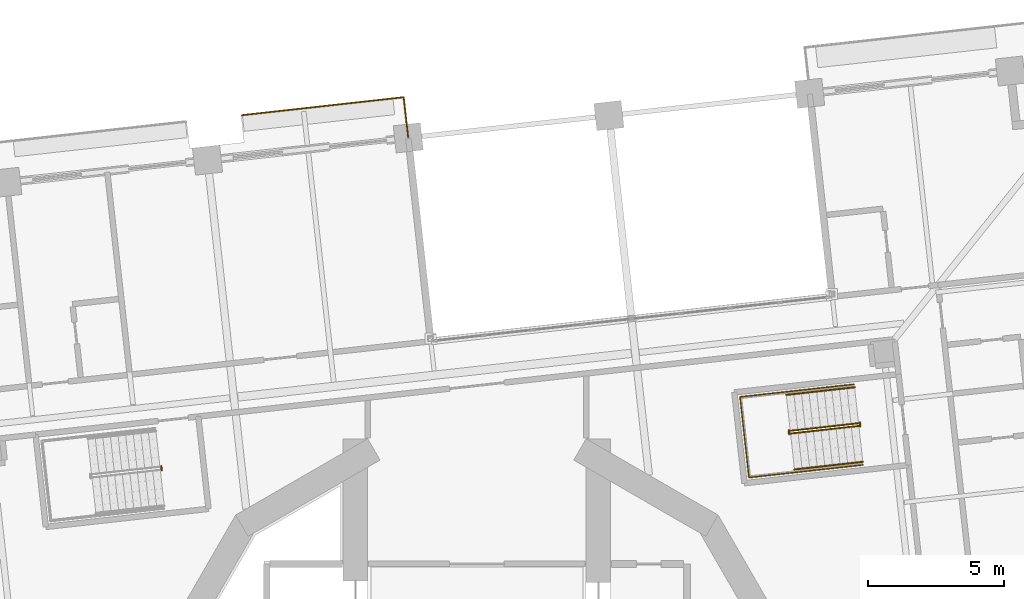
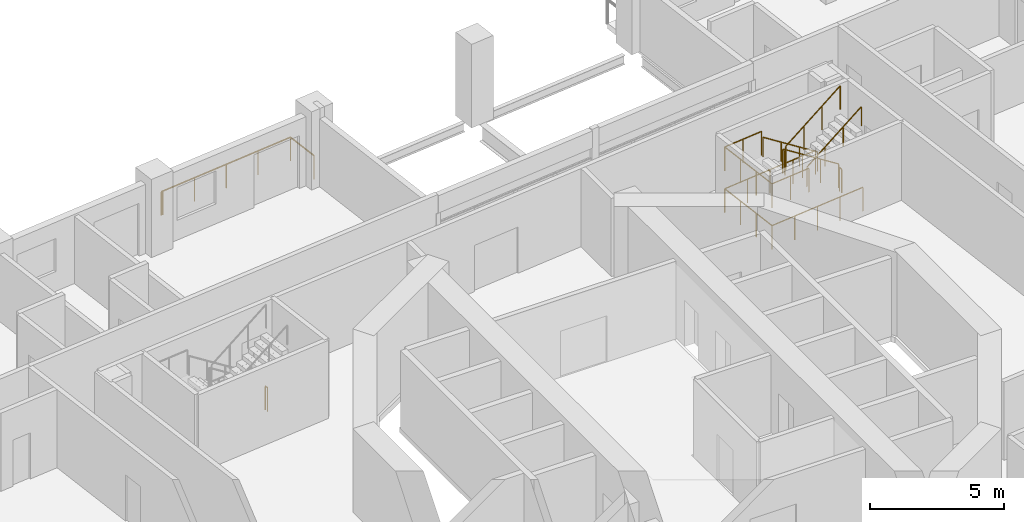
# One storey, part 18 of 20: 9 railings.
"""IFC4 building model written with IfcOpenShell, lengths in metres."""

import ifcopenshell
import ifcopenshell.guid

model = None  # the IFC model being written
_history = None  # IfcOwnerHistory: only IFC2X3 demands one
_inside = {}  # id of a spatial element -> (the spatial element, [elements in it])
_under = {}  # id of a project, library or spatial element -> (it, [spatial elements below it])
_declared = {}  # id of a project -> (the project, [libraries it declares])
_typed = {}  # id of a type object -> (the type object, [elements of that type])
_made_of = {}  # id of a material, layer set ... -> (it, [elements and type objects made of it])


def new_model(schema):
    """Start an empty IFC model of exactly this schema.

    Asked for "IFC4X3", IfcOpenShell would pick the latest addendum, in which some entities
    have other attributes; the version numbers below select the first issue.
    IFC2X3 requires an IfcOwnerHistory on every rooted entity: one is made here for all.
    """
    global model, _history
    if schema == "IFC4X3":
        model = ifcopenshell.file(schema_version=(4, 3, 0, 0))
    else:
        model = ifcopenshell.file(schema=schema)
    _inside.clear()
    _under.clear()
    _declared.clear()
    _typed.clear()
    _made_of.clear()
    _history = None
    if model.schema == "IFC2X3":
        org = make("IfcOrganization", Name="unknown")
        user = make(
            "IfcPersonAndOrganization",
            ThePerson=make("IfcPerson", FamilyName="unknown"),
            TheOrganization=org,
        )
        app = make(
            "IfcApplication",
            ApplicationDeveloper=org,
            Version="unknown",
            ApplicationFullName="unknown",
            ApplicationIdentifier="unknown",
        )
        _history = make(
            "IfcOwnerHistory",
            OwningUser=user,
            OwningApplication=app,
            ChangeAction="ADDED",
            CreationDate=0,
        )
    return model


def make(cls, **values):
    """One entity of the class cls with the attributes given. An attribute that is None is left unset."""
    return model.create_entity(
        cls, **{name: value for name, value in values.items() if value is not None}
    )


def rooted(cls, **values):
    """An entity with a GlobalId (a new one), such as an element, a storey or a relation."""
    return make(cls, GlobalId=ifcopenshell.guid.new(), OwnerHistory=_history, **values)


def si_unit(unit_type, name, prefix=None):
    """IfcSIUnit, for example si_unit("LENGTHUNIT", "METRE", prefix="MILLI")."""
    return make("IfcSIUnit", UnitType=unit_type, Prefix=prefix, Name=name)


def assignment(units):
    """IfcUnitAssignment: the units of a project."""
    return None if units is None else make("IfcUnitAssignment", Units=units)


def point(xyz):
    """IfcCartesianPoint."""
    return None if xyz is None else make("IfcCartesianPoint", Coordinates=xyz)


def direction(xyz):
    """IfcDirection."""
    return None if xyz is None else make("IfcDirection", DirectionRatios=xyz)


def frame(location, z_axis=None, x_axis=None):
    """IfcAxis2Placement3D, a coordinate frame: its origin and axes. An axis left out is left unset."""
    return make(
        "IfcAxis2Placement3D",
        Location=point(location),
        Axis=direction(z_axis),
        RefDirection=direction(x_axis),
    )


def frame_2d(location, x_axis=None):
    """IfcAxis2Placement2D, a coordinate frame in the plane: its origin and x axis."""
    return make(
        "IfcAxis2Placement2D", Location=point(location), RefDirection=direction(x_axis)
    )


def origin():
    """The frame at (0, 0, 0) with its axes left unset."""
    return frame((0.0, 0.0, 0.0))


def origin_2d():
    """The frame at (0, 0) in the plane with its x axis left unset."""
    return frame_2d((0.0, 0.0))


def place(relative_to, where):
    """IfcLocalPlacement: puts the frame where relative to a parent placement (None: the world)."""
    return make(
        "IfcLocalPlacement", PlacementRelTo=relative_to, RelativePlacement=where
    )


def context(
    kind, dimensions, precision=None, world=None, true_north=None, identifier=None
):
    """IfcGeometricRepresentationContext, for example the 3D "Model" context."""
    return make(
        "IfcGeometricRepresentationContext",
        ContextIdentifier=identifier,
        ContextType=kind,
        CoordinateSpaceDimension=dimensions,
        Precision=precision,
        WorldCoordinateSystem=world,
        TrueNorth=true_north,
    )


def subcontext(parent, identifier, kind, view, scale=None):
    """IfcGeometricRepresentationSubContext, for example "Body" below "Model"."""
    return make(
        "IfcGeometricRepresentationSubContext",
        ContextIdentifier=identifier,
        ContextType=kind,
        ParentContext=parent,
        TargetScale=scale,
        TargetView=view,
    )


def project(units=None, contexts=None):
    """IfcProject with its units and contexts."""
    return rooted(
        "IfcProject",
        Name="project",
        RepresentationContexts=contexts,
        UnitsInContext=assignment(units),
    )


def spatial(cls, under=None, at=None, **own):
    """A site, building, storey or space (cls), placed at a placement, below another one or the project."""
    s = rooted(cls, ObjectPlacement=at, **own)
    if under is not None:
        _under.setdefault(under.id(), (under, []))[1].append(s)
    return s


def profile(cls, at=None, kind="AREA", **sizes):
    """A parametric profile (cls). Its sizes go by their IFC names, for example OverallWidth=200.0."""
    return make(cls, ProfileType=kind, Position=at, **sizes)


def circle(**sizes):
    """IfcCircleProfileDef."""
    return profile("IfcCircleProfileDef", **sizes)


def extrude(swept, where, along, depth):
    """IfcExtrudedAreaSolid: the profile swept, set in the frame where, extruded along a direction by depth."""
    return make(
        "IfcExtrudedAreaSolid",
        SweptArea=swept,
        Position=where,
        ExtrudedDirection=direction(along),
        Depth=depth,
    )


def shape(context_of_items, identifier, shape_type, items):
    """IfcShapeRepresentation: the items that make up one representation, for example the "Body"."""
    return make(
        "IfcShapeRepresentation",
        ContextOfItems=context_of_items,
        RepresentationIdentifier=identifier,
        RepresentationType=shape_type,
        Items=items,
    )


def material(Name=None, Category=None):
    """IfcMaterial."""
    return make("IfcMaterial", Name=Name, Category=Category)


def made_of(thing, what):
    """Note that an element or type object is made of a material, layer set ...; save() writes the relation."""
    if what is not None:
        _made_of.setdefault(what.id(), (what, []))[1].append(thing)
    return thing


def type_object(cls, material=None, **own):
    """A type object (cls), such as IfcWallType, which elements share."""
    return made_of(rooted(cls, **own), material)


def element(
    cls,
    number,
    at=None,
    inside=None,
    cuts=None,
    type_object=None,
    material=None,
    context=None,
    identifier="Body",
    shape_type=None,
    held_by="IfcProductDefinitionShape",
    body=None,
    shapes=None,
    **own,
):
    """One element of the class cls, such as IfcWall. Its Tag is "e" and its number.

    at: its placement. inside: the storey or other place that contains it. cuts: it is an
    opening in that element (IfcRelVoidsElement). A single representation is given by context,
    identifier, shape_type and body (its items); several are given by shapes. held_by: the class
    of the entity that holds the representations. save() writes the other relations.
    """
    e = rooted(cls, Tag="e%d" % number, ObjectPlacement=at, **own)
    if body is not None:
        shapes = [shape(context, identifier, shape_type, body)]
    if shapes is not None:
        e.Representation = make(held_by, Representations=shapes)
    if inside is not None:
        _inside.setdefault(inside.id(), (inside, []))[1].append(e)
    if cuts is not None:
        rooted(
            "IfcRelVoidsElement", RelatingBuildingElement=cuts, RelatedOpeningElement=e
        )
    if type_object is not None:
        _typed.setdefault(type_object.id(), (type_object, []))[1].append(e)
    return made_of(e, material)


def aggregate(whole, parts):
    """IfcRelAggregates: a whole, such as a stair, and the parts it consists of."""
    return rooted("IfcRelAggregates", RelatingObject=whole, RelatedObjects=parts)


def save(model, path):
    """Write the relations noted so far, then the file.

    IfcRelAggregates (storeys below a building ...), IfcRelContainedInSpatialStructure (elements
    in a storey), IfcRelDefinesByType, IfcRelAssociatesMaterial and IfcRelDeclares: one each for
    every whole, place, type object, material and project.
    """
    for whole, parts in _under.values():
        aggregate(whole, parts)
    for where, things in _inside.values():
        rooted(
            "IfcRelContainedInSpatialStructure",
            RelatedElements=things,
            RelatingStructure=where,
        )
    for kind, things in _typed.values():
        rooted("IfcRelDefinesByType", RelatedObjects=things, RelatingType=kind)
    for what, things in _made_of.values():
        rooted("IfcRelAssociatesMaterial", RelatedObjects=things, RelatingMaterial=what)
    for by, libraries in _declared.values():
        rooted("IfcRelDeclares", RelatingContext=by, RelatedDefinitions=libraries)
    model.write(path)


model = new_model("IFC4")

# Units and contexts
model_context = context("Model", 3, precision=1e-05, world=origin(), true_north=direction((0.0, 1.0)))
body_context = subcontext(model_context, "Body", "Model", "MODEL_VIEW")
ifc_project = project(units=[si_unit("LENGTHUNIT", "METRE"), si_unit("AREAUNIT", "SQUARE_METRE"), si_unit("VOLUMEUNIT", "CUBIC_METRE"), si_unit("PLANEANGLEUNIT", "RADIAN"), si_unit("MASSUNIT", "GRAM", prefix="KILO")], contexts=[model_context])

# Site, building, storey
site_placement = place(None, origin())
site = spatial("IfcSite", under=ifc_project, at=site_placement, CompositionType="ELEMENT")
building_placement = place(site_placement, origin())
building = spatial("IfcBuilding", under=site, at=building_placement, Name="Cantera Rosa Tower", CompositionType="ELEMENT")
storey_placement = place(building_placement, frame((0.0, 0.0, 46.300048828125)))
storey = spatial("IfcBuildingStorey", under=building, at=storey_placement, Name="L08", CompositionType="ELEMENT", Elevation=46.300048828125)

# Railings
ifc_material_1 = material(Name="Stainless steel and laminated glass", Category="steel")
railing_type_1 = type_object("IfcRailingType", Name="GUARD 1100", PredefinedType="BALUSTRADE", material=ifc_material_1)
railing_1_placement = place(storey_placement, frame((-8.6142578125, 23.4931640625, 0.0)))
element("IfcRailing", 1, at=railing_1_placement, inside=storey, type_object=railing_type_1, Name="GUARD L08-5", PredefinedType="BALUSTRADE", context=body_context, shape_type="SweptSolid", body=[
    extrude(circle(Radius=0.030029296875, at=origin_2d()), frame((0.0, 0.0, 1.070068359375), z_axis=(0.994136314057, 0.108134125389, 0.0), x_axis=(-0.108134125389, 0.994136314057, 0.0)), (0.0, 0.0, 1.0), 0.070068359375),
    extrude(circle(Radius=0.030029296875, at=origin_2d()), frame((0.069580078125, 0.007568359375, 1.070068359375), z_axis=(0.993891851654, 0.110358448777, 0.0), x_axis=(-0.110358448777, 0.993891851654, 0.0)), (0.0, 0.0, 1.0), 4.400146484375),
    extrude(circle(Radius=0.030029296875, at=origin_2d()), frame((4.44287109375, 0.4931640625, 1.070068359375), z_axis=(0.993909513469, 0.110199269672, 0.0), x_axis=(-0.110199269672, 0.993909513469, 0.0)), (0.0, 0.0, 1.0), 1.499755859375),
    extrude(circle(Radius=0.030029296875, at=origin_2d()), frame((5.93359375, 0.658447265625, 1.070068359375), z_axis=(0.110359103751, -0.993891778927, 0.0), x_axis=(0.993891778927, 0.110359103751, 0.0)), (0.0, 0.0, 1.0), 1.47998046875),
    extrude(circle(Radius=0.02490234375, at=origin_2d()), origin(), (0.0, 0.0, 1.0), 1.0400390625),
    extrude(circle(Radius=0.02490234375, at=origin_2d()), frame((0.069580078125, 0.007568359375, 0.0)), (0.0, 0.0, 1.0), 1.0400390625),
    extrude(circle(Radius=0.02490234375, at=origin_2d()), frame((1.52734375, 0.16943359375, 0.0)), (0.0, 0.0, 1.0), 1.0400390625),
    extrude(circle(Radius=0.02490234375, at=origin_2d()), frame((2.985107421875, 0.331298828125, 0.0)), (0.0, 0.0, 1.0), 1.0400390625),
    extrude(circle(Radius=0.02490234375, at=origin_2d()), frame((4.44287109375, 0.4931640625, 0.0)), (0.0, 0.0, 1.0), 1.0400390625),
    extrude(circle(Radius=0.02490234375, at=origin_2d()), frame((5.93359375, 0.658447265625, 0.0)), (0.0, 0.0, 1.0), 1.0400390625),
    extrude(circle(Radius=0.02490234375, at=origin_2d()), frame((6.096923828125, -0.8125, 0.0)), (0.0, 0.0, 1.0), 1.0400390625),
])
ifc_material_2 = material(Name="Steel S355J2 (EN 10025-2)", Category="steel")
railing_type_2 = type_object("IfcRailingType", Name="STAIR GUARD 1100", PredefinedType="GUARDRAIL", material=ifc_material_2)
railing_2_placement = place(storey_placement, frame((13.986083984375, 12.203125, 0.18994140625)))
element("IfcRailing", 2, at=railing_2_placement, inside=storey, type_object=railing_type_2, Name="L08 ST-11 stair guard 1", PredefinedType="GUARDRAIL", context=body_context, shape_type="SweptSolid", body=[
    extrude(circle(Radius=0.02392578125, at=origin_2d()), frame((0.0, 0.0, 1.076171875), z_axis=(-0.822431337597, -0.091310000343, 0.561488360321), x_axis=(0.110346460196, -0.993893182753, 0.0)), (0.0, 0.0, 1.0), 3.04541015625),
    extrude(circle(Radius=0.02392578125, at=origin_2d()), frame((-2.504638671875, -0.278076171875, 2.7861328125), z_axis=(-0.931434406233, 0.363909256389, 0.0), x_axis=(-0.363909256389, -0.931434406233, 0.0)), (0.0, 0.0, 1.0), 0.056396484375),
    extrude(circle(Radius=0.02392578125, at=origin_2d()), frame((-2.55712890625, -0.257568359375, 2.7861328125), z_axis=(0.1090029065, -0.994041430915, 0.0), x_axis=(0.994041430915, 0.1090029065, 0.0)), (0.0, 0.0, 1.0), 0.150146484375),
    extrude(circle(Radius=0.02099609375, at=origin_2d()), origin(), (0.0, 0.0, 1.0), 1.052001953125),
    extrude(circle(Radius=0.02099609375, at=origin_2d()), frame((-0.8349609375, -0.0927734375, 0.570068359375)), (0.0, 0.0, 1.0), 1.052001953125),
    extrude(circle(Radius=0.02099609375, at=origin_2d()), frame((-1.669677734375, -0.185302734375, 1.139892578125)), (0.0, 0.0, 1.0), 1.052001953125),
    extrude(circle(Radius=0.02099609375, at=origin_2d()), frame((-2.504638671875, -0.278076171875, 1.7099609375)), (0.0, 0.0, 1.0), 1.052001953125),
    extrude(circle(Radius=0.02099609375, at=origin_2d()), frame((-2.55712890625, -0.257568359375, 1.7099609375)), (0.0, 0.0, 1.0), 1.052001953125),
    extrude(circle(Radius=0.02099609375, at=origin_2d()), frame((-2.540771484375, -0.40673828125, 1.7099609375)), (0.0, 0.0, 1.0), 1.052001953125),
])
railing_3_placement = place(storey_placement, frame((11.4921875, 11.82763671875, 2.08984375)))
element("IfcRailing", 3, at=railing_3_placement, inside=storey, type_object=railing_type_2, Name="L08 ST-11 stair guard 2", PredefinedType="GUARDRAIL", context=body_context, shape_type="SweptSolid", body=[
    extrude(circle(Radius=0.02392578125, at=origin_2d()), frame((0.0, 0.0, 1.076171875), z_axis=(0.822394317572, 0.091305890215, 0.561543249302), x_axis=(-0.110346460196, 0.993893182753, 0.0)), (0.0, 0.0, 1.0), 3.045654296875),
    extrude(circle(Radius=0.02099609375, at=origin_2d()), origin(), (0.0, 0.0, 1.0), 1.052001953125),
    extrude(circle(Radius=0.02099609375, at=origin_2d()), frame((0.8349609375, 0.0927734375, 0.570068359375)), (0.0, 0.0, 1.0), 1.052001953125),
    extrude(circle(Radius=0.02099609375, at=origin_2d()), frame((1.669677734375, 0.185302734375, 1.14013671875)), (0.0, 0.0, 1.0), 1.052001953125),
    extrude(circle(Radius=0.02099609375, at=origin_2d()), frame((2.504638671875, 0.278076171875, 1.710205078125)), (0.0, 0.0, 1.0), 1.052001953125),
])
railing_4_placement = place(storey_placement, frame((14.032958984375, 12.234375, 0.0)))
element("IfcRailing", 4, at=railing_4_placement, inside=storey, type_object=railing_type_2, Name="L08 ST-11 stair guard 3", PredefinedType="GUARDRAIL", context=body_context, shape_type="SweptSolid", body=[
    extrude(circle(Radius=0.02392578125, at=origin_2d()), frame((0.0, 0.0, 1.076171875), z_axis=(0.109179471459, -0.994022053584, 0.0), x_axis=(0.994022053584, 0.109179471459, 0.0)), (0.0, 0.0, 1.0), 0.14990234375),
    extrude(circle(Radius=0.02099609375, at=origin_2d()), origin(), (0.0, 0.0, 1.0), 1.052001953125),
    extrude(circle(Radius=0.02099609375, at=origin_2d()), frame((0.016357421875, -0.14892578125, 0.0)), (0.0, 0.0, 1.0), 1.052001953125),
])
railing_5_placement = place(storey_placement, frame((13.815673828125, 13.629150390625, 0.0)))
element("IfcRailing", 5, at=railing_5_placement, inside=storey, type_object=railing_type_2, Name="L08 ST-11 stair guard 4", PredefinedType="GUARDRAIL", context=body_context, shape_type="SweptSolid", body=[
    extrude(circle(Radius=0.02392578125, at=origin_2d()), frame((0.0, 0.0, 1.076171875), z_axis=(-0.9938957856, -0.110323013767, 0.0), x_axis=(0.110323013767, -0.9938957856, 0.0)), (0.0, 0.0, 1.0), 4.197998046875),
    extrude(circle(Radius=0.02392578125, at=origin_2d()), frame((-4.17236328125, -0.463134765625, 1.076171875), z_axis=(0.110314237986, -0.993896759678, 0.0), x_axis=(0.993896759678, 0.110314237986, 0.0)), (0.0, 0.0, 1.0), 2.969970703125),
    extrude(circle(Radius=0.02392578125, at=origin_2d()), frame((-3.8447265625, -3.4150390625, 1.076171875), z_axis=(0.9938957856, 0.110323013767, 0.0), x_axis=(-0.110323013767, 0.9938957856, 0.0)), (0.0, 0.0, 1.0), 4.197998046875),
    extrude(circle(Radius=0.02099609375, at=origin_2d()), origin(), (0.0, 0.0, 1.0), 1.052001953125),
    extrude(circle(Radius=0.02099609375, at=origin_2d()), frame((-1.04296875, -0.11572265625, 0.0)), (0.0, 0.0, 1.0), 1.052001953125),
    extrude(circle(Radius=0.02099609375, at=origin_2d()), frame((-2.086181640625, -0.2314453125, 0.0)), (0.0, 0.0, 1.0), 1.052001953125),
    extrude(circle(Radius=0.02099609375, at=origin_2d()), frame((-3.12939453125, -0.347412109375, 0.0)), (0.0, 0.0, 1.0), 1.052001953125),
    extrude(circle(Radius=0.02099609375, at=origin_2d()), frame((-4.17236328125, -0.463134765625, 0.0)), (0.0, 0.0, 1.0), 1.052001953125),
    extrude(circle(Radius=0.02099609375, at=origin_2d()), frame((-4.063232421875, -1.447021484375, 0.0)), (0.0, 0.0, 1.0), 1.052001953125),
    extrude(circle(Radius=0.02099609375, at=origin_2d()), frame((-3.953857421875, -2.43115234375, 0.0)), (0.0, 0.0, 1.0), 1.052001953125),
    extrude(circle(Radius=0.02099609375, at=origin_2d()), frame((-3.8447265625, -3.4150390625, 0.0)), (0.0, 0.0, 1.0), 1.052001953125),
    extrude(circle(Radius=0.02099609375, at=origin_2d()), frame((-2.8017578125, -3.29931640625, 0.0)), (0.0, 0.0, 1.0), 1.052001953125),
    extrude(circle(Radius=0.02099609375, at=origin_2d()), frame((-1.758544921875, -3.18359375, 0.0)), (0.0, 0.0, 1.0), 1.052001953125),
    extrude(circle(Radius=0.02099609375, at=origin_2d()), frame((-0.71533203125, -3.067626953125, 0.0)), (0.0, 0.0, 1.0), 1.052001953125),
    extrude(circle(Radius=0.02099609375, at=origin_2d()), frame((0.32763671875, -2.951904296875, 0.0)), (0.0, 0.0, 1.0), 1.052001953125),
])
railing_6_placement = place(storey_placement, frame((11.3349609375, 13.353759765625, 1.89990234375)))
element("IfcRailing", 6, at=railing_6_placement, inside=storey, type_object=railing_type_2, Name="L08 ST-11 stair guard 5", PredefinedType="GUARDRAIL", context=body_context, shape_type="SweptSolid", body=[
    extrude(circle(Radius=0.02392578125, at=origin_2d()), frame((0.0, 0.0, 1.076171875), z_axis=(-0.993897720867, -0.110305577623, 0.0), x_axis=(0.110305577623, -0.993897720867, 0.0)), (0.0, 0.0, 1.0), 1.7021484375),
    extrude(circle(Radius=0.02392578125, at=origin_2d()), frame((-1.691650390625, -0.187744140625, 1.076171875), z_axis=(0.110314237986, -0.993896759678, 0.0), x_axis=(0.993896759678, 0.110314237986, 0.0)), (0.0, 0.0, 1.0), 2.969970703125),
    extrude(circle(Radius=0.02392578125, at=origin_2d()), frame((-1.364013671875, -3.1396484375, 1.076171875), z_axis=(0.993897720867, 0.110305577623, 0.0), x_axis=(-0.110305577623, 0.993897720867, 0.0)), (0.0, 0.0, 1.0), 1.7021484375),
    extrude(circle(Radius=0.02099609375, at=origin_2d()), origin(), (0.0, 0.0, 1.0), 1.052001953125),
    extrude(circle(Radius=0.02099609375, at=origin_2d()), frame((-0.845703125, -0.09375, 0.0)), (0.0, 0.0, 1.0), 1.052001953125),
    extrude(circle(Radius=0.02099609375, at=origin_2d()), frame((-1.691650390625, -0.187744140625, 0.0)), (0.0, 0.0, 1.0), 1.052001953125),
    extrude(circle(Radius=0.02099609375, at=origin_2d()), frame((-1.58251953125, -1.171630859375, 0.0)), (0.0, 0.0, 1.0), 1.052001953125),
    extrude(circle(Radius=0.02099609375, at=origin_2d()), frame((-1.47314453125, -2.15576171875, 0.0)), (0.0, 0.0, 1.0), 1.052001953125),
    extrude(circle(Radius=0.02099609375, at=origin_2d()), frame((-1.364013671875, -3.1396484375, 0.0)), (0.0, 0.0, 1.0), 1.052001953125),
    extrude(circle(Radius=0.02099609375, at=origin_2d()), frame((-0.51806640625, -3.0458984375, 0.0)), (0.0, 0.0, 1.0), 1.052001953125),
    extrude(circle(Radius=0.02099609375, at=origin_2d()), frame((0.32763671875, -2.951904296875, 0.0)), (0.0, 0.0, 1.0), 1.052001953125),
])
railing_7_placement = place(storey_placement, frame((-11.567138671875, 10.634521484375, 0.0)))
element("IfcRailing", 7, at=railing_7_placement, inside=storey, type_object=railing_type_2, Name="L08 ST-12 stair guard 3", PredefinedType="GUARDRAIL", context=body_context, shape_type="SweptSolid", body=[
    extrude(circle(Radius=0.02392578125, at=origin_2d()), frame((0.0, 0.0, 1.076171875), z_axis=(0.110610055588, -0.993863881828, 0.0), x_axis=(0.993863881828, 0.110610055588, 0.0)), (0.0, 0.0, 1.0), 0.150146484375),
    extrude(circle(Radius=0.02099609375, at=origin_2d()), origin(), (0.0, 0.0, 1.0), 1.052001953125),
    extrude(circle(Radius=0.02099609375, at=origin_2d()), frame((0.0166015625, -0.149169921875, 0.0)), (0.0, 0.0, 1.0), 1.052001953125),
])
ifc_material_3 = material(Name="Steel S355J2 (EN 10025-2)", Category="steel")
railing_type_3 = type_object("IfcRailingType", Name="STAIR HANDRAIL 900", PredefinedType="HANDRAIL", material=ifc_material_3)
railing_8_placement = place(storey_placement, frame((13.83984375, 13.52099609375, 0.18994140625)))
element("IfcRailing", 8, at=railing_8_placement, inside=storey, type_object=railing_type_3, Name="L08 ST-11 stair handrail 1", PredefinedType="HANDRAIL", context=body_context, shape_type="SweptSolid", body=[
    extrude(circle(Radius=0.02392578125, at=origin_2d()), frame((0.0, 0.0, 0.8759765625), z_axis=(-0.822437355244, -0.09123050105, 0.561492468674), x_axis=(0.110250758185, -0.993903803353, 0.0)), (0.0, 0.0, 1.0), 3.04541015625),
    extrude(circle(Radius=0.02099609375, at=origin_2d()), origin(), (0.0, 0.0, 1.0), 0.851806640625),
    extrude(circle(Radius=0.02099609375, at=origin_2d()), frame((-0.8349609375, -0.092529296875, 0.570068359375)), (0.0, 0.0, 1.0), 0.851806640625),
    extrude(circle(Radius=0.02099609375, at=origin_2d()), frame((-1.669677734375, -0.185302734375, 1.139892578125)), (0.0, 0.0, 1.0), 0.851806640625),
    extrude(circle(Radius=0.02099609375, at=origin_2d()), frame((-2.504638671875, -0.27783203125, 1.7099609375)), (0.0, 0.0, 1.0), 0.851806640625),
])
railing_9_placement = place(storey_placement, frame((11.638427734375, 10.509765625, 2.08984375)))
element("IfcRailing", 9, at=railing_9_placement, inside=storey, type_object=railing_type_3, Name="L08 ST-11 stair handrail 2", PredefinedType="HANDRAIL", context=body_context, shape_type="SweptSolid", body=[
    extrude(circle(Radius=0.02392578125, at=origin_2d()), frame((0.0, 0.0, 0.8759765625), z_axis=(0.822394317572, 0.091305890215, 0.561543249302), x_axis=(-0.110346460196, 0.993893182753, 0.0)), (0.0, 0.0, 1.0), 3.045654296875),
    extrude(circle(Radius=0.02099609375, at=origin_2d()), origin(), (0.0, 0.0, 1.0), 0.851806640625),
    extrude(circle(Radius=0.02099609375, at=origin_2d()), frame((0.8349609375, 0.0927734375, 0.570068359375)), (0.0, 0.0, 1.0), 0.851806640625),
    extrude(circle(Radius=0.02099609375, at=origin_2d()), frame((1.669677734375, 0.185302734375, 1.14013671875)), (0.0, 0.0, 1.0), 0.851806640625),
    extrude(circle(Radius=0.02099609375, at=origin_2d()), frame((2.504638671875, 0.278076171875, 1.710205078125)), (0.0, 0.0, 1.0), 0.851806640625),
])

save(model, "model.ifc")
